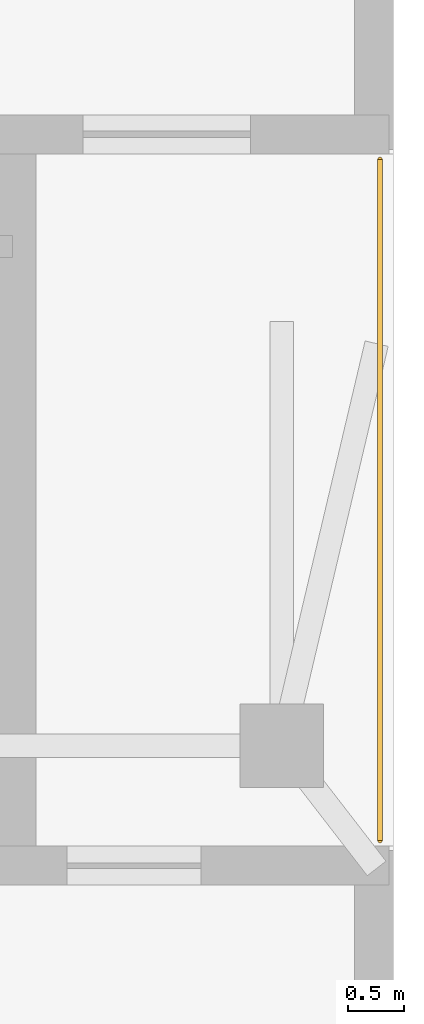
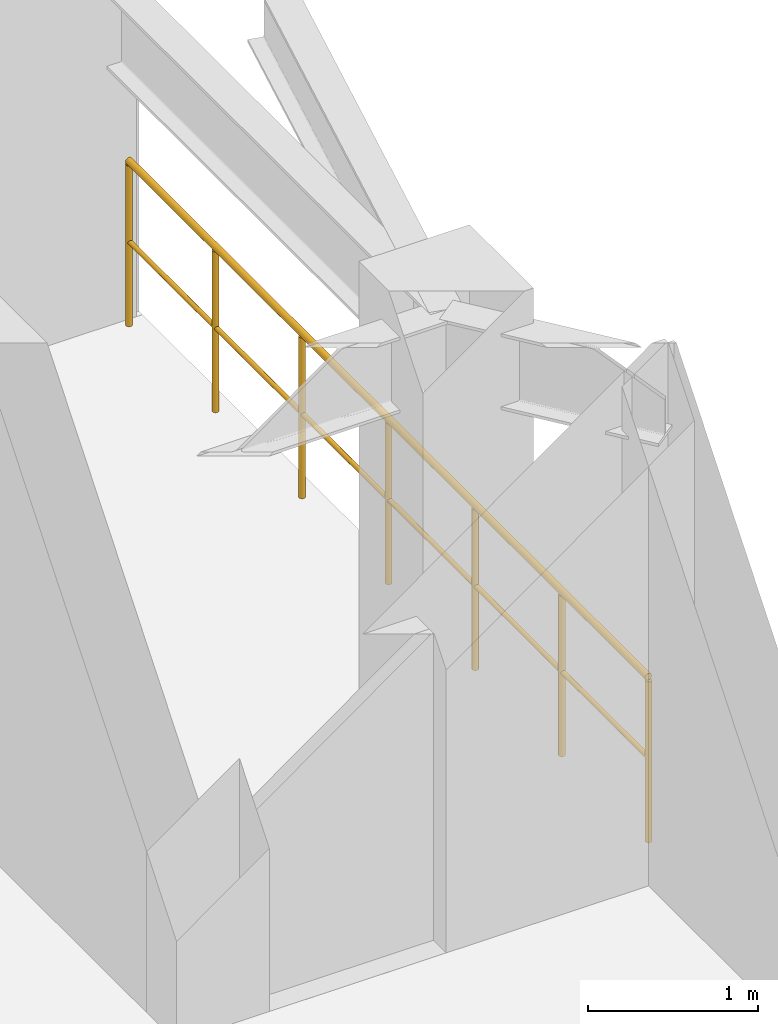
# One storey, part 9 of 9: 1 railing.
"""IFC4 building model written with IfcOpenShell, lengths in metres."""

from ifc_helpers import new_model, si_unit, direction, frame, origin, origin_2d, place, context, subcontext, project, spatial, circle, extrude, material, type_object, element, save


model = new_model("IFC4")

# Units and contexts
model_context = context("Model", 3, precision=1e-05, world=origin(), true_north=direction((0.0, 1.0)))
body_context = subcontext(model_context, "Body", "Model", "MODEL_VIEW")
ifc_project = project(units=[si_unit("LENGTHUNIT", "METRE"), si_unit("AREAUNIT", "SQUARE_METRE"), si_unit("VOLUMEUNIT", "CUBIC_METRE"), si_unit("PLANEANGLEUNIT", "RADIAN"), si_unit("MASSUNIT", "GRAM", prefix="KILO")], contexts=[model_context])

# Site, building, storey
site_placement = place(None, origin())
site = spatial("IfcSite", under=ifc_project, at=site_placement, CompositionType="ELEMENT")
building_placement = place(site_placement, origin())
building = spatial("IfcBuilding", under=site, at=building_placement, Name="Ventersveld Concourse Tower", CompositionType="ELEMENT")
storey_placement = place(building_placement, frame((0.0, 0.0, 108.0)))
storey = spatial("IfcBuildingStorey", under=building, at=storey_placement, Name="L26", CompositionType="ELEMENT", Elevation=108.0)

# Railing
ifc_material = material(Name="Brushed stainless steel 316", Category="steel")
railing_type = type_object("IfcRailingType", Name="GD-TER-120", PredefinedType="GUARDRAIL", material=ifc_material)
railing_placement = place(storey_placement, frame((54.780029296875, 22.75, 0.0)))
element("IfcRailing", 1, at=railing_placement, inside=storey, type_object=railing_type, Name="L26 Outdoor Terrace Guardrail NOTCH-E", PredefinedType="GUARDRAIL", context=body_context, shape_type="SweptSolid", body=[
    extrude(circle(Radius=0.02392578125, at=origin_2d()), frame((0.0, 0.0, 1.17578125), z_axis=(0.0, 1.0, 0.0), x_axis=(-1.0, 0.0, 0.0)), (0.0, 0.0, 1.0), 6.10009765625),
    extrude(circle(Radius=0.01611328125, at=origin_2d()), frame((0.0, 0.0, 0.60009765625), z_axis=(0.0, 1.0, 0.0), x_axis=(-1.0, 0.0, 0.0)), (0.0, 0.0, 1.0), 6.10009765625),
    extrude(circle(Radius=0.02099609375, at=origin_2d()), origin(), (0.0, 0.0, 1.0), 1.15185546875),
    extrude(circle(Radius=0.02099609375, at=origin_2d()), frame((0.0, 1.0166015625, 0.0)), (0.0, 0.0, 1.0), 1.15185546875),
    extrude(circle(Radius=0.02099609375, at=origin_2d()), frame((0.0, 2.033447265625, 0.0)), (0.0, 0.0, 1.0), 1.15185546875),
    extrude(circle(Radius=0.02099609375, at=origin_2d()), frame((0.0, 3.050048828125, 0.0)), (0.0, 0.0, 1.0), 1.15185546875),
    extrude(circle(Radius=0.02099609375, at=origin_2d()), frame((0.0, 4.066650390625, 0.0)), (0.0, 0.0, 1.0), 1.15185546875),
    extrude(circle(Radius=0.02099609375, at=origin_2d()), frame((0.0, 5.08349609375, 0.0)), (0.0, 0.0, 1.0), 1.15185546875),
    extrude(circle(Radius=0.02099609375, at=origin_2d()), frame((0.0, 6.10009765625, 0.0)), (0.0, 0.0, 1.0), 1.15185546875),
])

save(model, "model.ifc")
